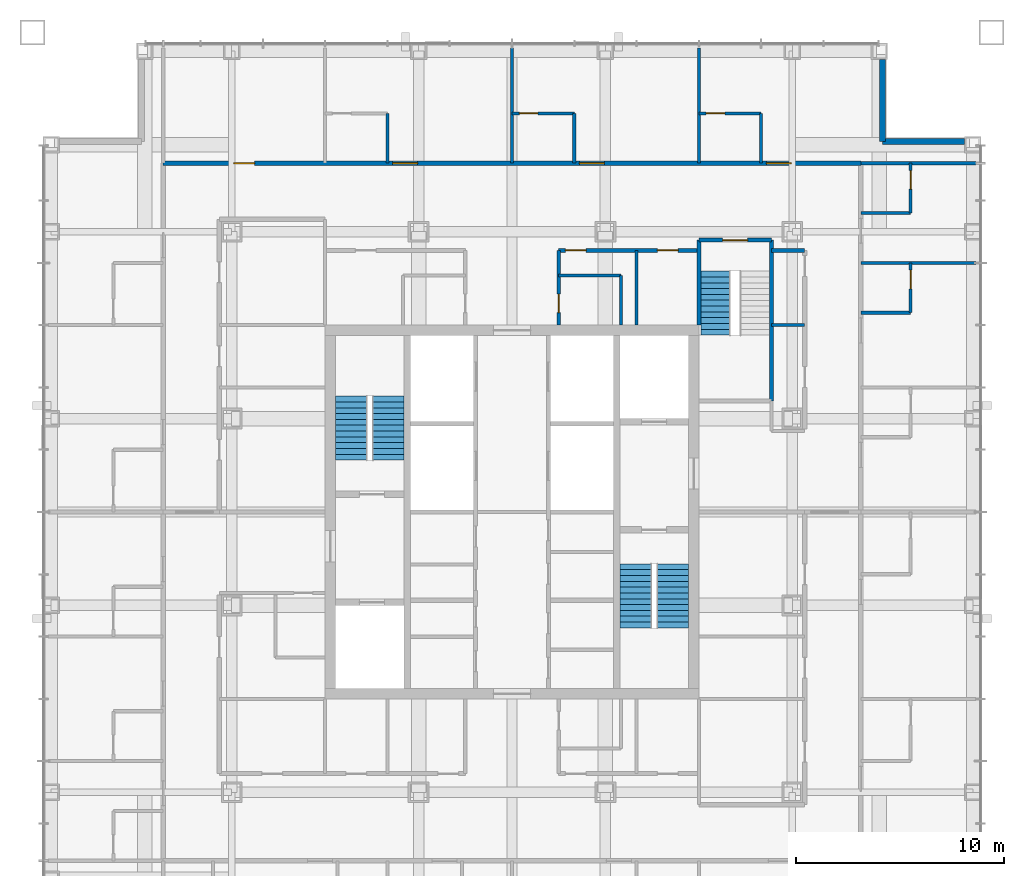
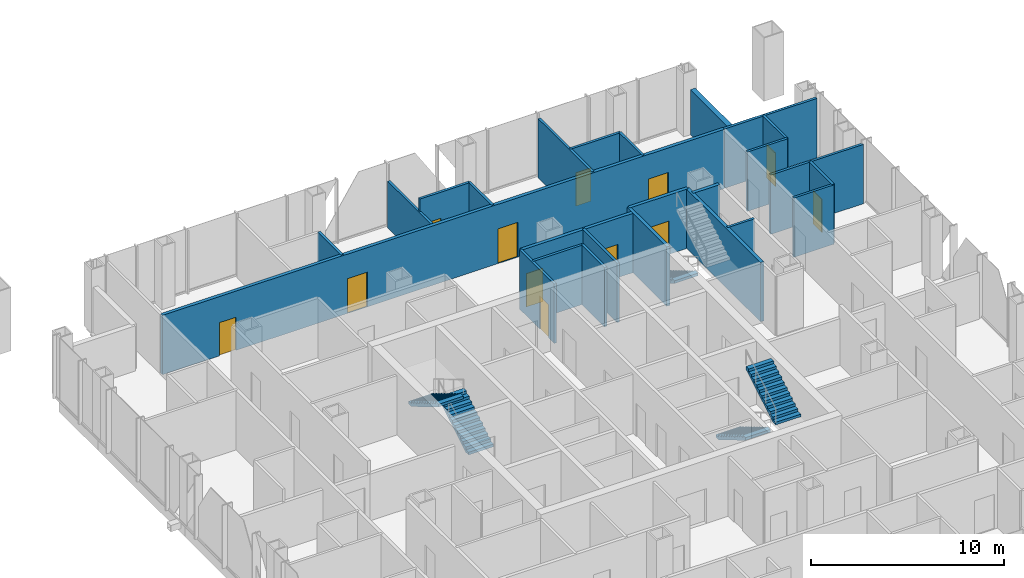
# One storey, part 11 of 17: 26 walls, 12 doors, 5 stair flights, 12 openings, 3 elements without a shape of their own.
"""IFC4 building model written with IfcOpenShell, lengths in metres."""

from ifc_helpers import new_model, si_unit, direction, frame, frame_2d, origin, place, context, subcontext, project, spatial, polyline, rectangle, outline, extrude, material, layer, layer_set, type_object, element, fill, aggregate, save


model = new_model("IFC4")

# Units and contexts
model_context = context("Model", 3, precision=1e-05, world=origin(), true_north=direction((0.0, 1.0)))
body_context = subcontext(model_context, "Body", "Model", "MODEL_VIEW")
ifc_project = project(units=[si_unit("LENGTHUNIT", "METRE"), si_unit("AREAUNIT", "SQUARE_METRE"), si_unit("VOLUMEUNIT", "CUBIC_METRE"), si_unit("PLANEANGLEUNIT", "RADIAN"), si_unit("MASSUNIT", "GRAM", prefix="KILO")], contexts=[model_context])

# Site, building, storey
site_placement = place(None, origin())
site = spatial("IfcSite", under=ifc_project, at=site_placement, CompositionType="ELEMENT")
building_placement = place(site_placement, origin())
building = spatial("IfcBuilding", under=site, at=building_placement, Name="Malebo Sky Hospital", CompositionType="ELEMENT")
storey_placement = place(building_placement, frame((0.0, 0.0, 237.0)))
storey = spatial("IfcBuildingStorey", under=building, at=storey_placement, Name="L57", CompositionType="ELEMENT", Elevation=237.0)

# Wall, openings, doors
ifc_material_1 = material(Name="Gypsum board on steel studs", Category="steel")
ifc_layer_1 = layer(ifc_material_1, 0.199951171875)
ifc_layer_set_1 = layer_set([ifc_layer_1], Name="CORRIDOR WALL 200")
wall_type_1 = type_object("IfcWallType", Name="CORRIDOR WALL 200", PredefinedType="PARTITIONING", material=ifc_layer_set_1)
wall_1_placement = place(storey_placement, frame((43.199951171875, 78.800048828125, 0.0), z_axis=(0.0, 0.0, 1.0), x_axis=(1.0, 0.0, 0.0)))
wall_1 = element("IfcWall", 1, at=wall_1_placement, inside=storey, type_object=wall_type_1, Name="Corridor Wall 200 NCO", PredefinedType="PARTITIONING", context=body_context, shape_type="SweptSolid", body=[
    extrude(rectangle(XDim=33.60009765625, YDim=0.199951171875, at=frame_2d((16.800048828125, 0.0))), origin(), (0.0, 0.0, 1.0), 3.75),
])
opening_1_placement = place(wall_1_placement, frame((3.39990234375, 0.0, 0.0)))
opening_1 = element("IfcOpeningElement", 2, at=opening_1_placement, cuts=wall_1, Name="Opening D03", PredefinedType="OPENING", context=body_context, shape_type="SweptSolid", body=[
    extrude(rectangle(XDim=1.0, YDim=2.10009765625, at=frame_2d((0.5, 1.050048828125))), frame((0.0, 0.10986328125, 0.0), z_axis=(0.0, -1.0, 0.0), x_axis=(1.0, 0.0, 0.0)), (0.0, 0.0, 1.0), 0.219970703125),
])
opening_2_placement = place(wall_1_placement, frame((11.050048828125, 0.0, 0.0)))
opening_2 = element("IfcOpeningElement", 3, at=opening_2_placement, cuts=wall_1, Name="Opening D01", PredefinedType="OPENING", context=body_context, shape_type="SweptSolid", body=[
    extrude(rectangle(XDim=1.199951171875, YDim=2.199951171875, at=frame_2d((0.60009765625, 1.10009765625))), frame((0.0, 0.10986328125, 0.0), z_axis=(0.0, -1.0, 0.0), x_axis=(1.0, 0.0, 0.0)), (0.0, 0.0, 1.0), 0.219970703125),
])
opening_3_placement = place(wall_1_placement, frame((20.050048828125, 0.0, 0.0)))
opening_3 = element("IfcOpeningElement", 4, at=opening_3_placement, cuts=wall_1, Name="Opening D01", PredefinedType="OPENING", context=body_context, shape_type="SweptSolid", body=[
    extrude(rectangle(XDim=1.199951171875, YDim=2.199951171875, at=frame_2d((0.60009765625, 1.10009765625))), frame((0.0, 0.10986328125, 0.0), z_axis=(0.0, -1.0, 0.0), x_axis=(1.0, 0.0, 0.0)), (0.0, 0.0, 1.0), 0.219970703125),
])
opening_4_placement = place(wall_1_placement, frame((29.050048828125, 0.0, 0.0)))
opening_4 = element("IfcOpeningElement", 5, at=opening_4_placement, cuts=wall_1, Name="Opening D01", PredefinedType="OPENING", context=body_context, shape_type="SweptSolid", body=[
    extrude(rectangle(XDim=1.199951171875, YDim=2.199951171875, at=frame_2d((0.60009765625, 1.10009765625))), frame((0.0, 0.10986328125, 0.0), z_axis=(0.0, -1.0, 0.0), x_axis=(1.0, 0.0, 0.0)), (0.0, 0.0, 1.0), 0.219970703125),
])
ifc_material_2 = material(Name="Hardwood-faced door leaf in steel frame", Category="steel")
door_type_1 = type_object("IfcDoorType", Name="BED DOOR 1200", OperationType="SINGLE_SWING_LEFT", PredefinedType="DOOR", material=ifc_material_2)
door_1_placement = place(opening_2_placement, origin())
door_1 = element("IfcDoor", 6, at=door_1_placement, inside=storey, type_object=door_type_1, Name="Two-bed room door", OperationType="SINGLE_SWING_LEFT", OverallHeight=2.199951171875, OverallWidth=1.199951171875, PredefinedType="DOOR", context=body_context, shape_type="SweptSolid", body=[
    extrude(rectangle(XDim=1.199951171875, YDim=2.199951171875, at=frame_2d((0.60009765625, 1.10009765625))), frame((0.0, 0.02490234375, 0.0), z_axis=(0.0, -1.0, 0.0), x_axis=(1.0, 0.0, 0.0)), (0.0, 0.0, 1.0), 0.050048828125),
])
fill(opening_2, door_1)
door_2_placement = place(opening_3_placement, origin())
door_2 = element("IfcDoor", 7, at=door_2_placement, inside=storey, type_object=door_type_1, Name="Two-bed room door", OperationType="SINGLE_SWING_LEFT", OverallHeight=2.199951171875, OverallWidth=1.199951171875, PredefinedType="DOOR", context=body_context, shape_type="SweptSolid", body=[
    extrude(rectangle(XDim=1.199951171875, YDim=2.199951171875, at=frame_2d((0.60009765625, 1.10009765625))), frame((0.0, 0.02490234375, 0.0), z_axis=(0.0, -1.0, 0.0), x_axis=(1.0, 0.0, 0.0)), (0.0, 0.0, 1.0), 0.050048828125),
])
fill(opening_3, door_2)
door_3_placement = place(opening_4_placement, origin())
door_3 = element("IfcDoor", 8, at=door_3_placement, inside=storey, type_object=door_type_1, Name="Two-bed room door", OperationType="SINGLE_SWING_LEFT", OverallHeight=2.199951171875, OverallWidth=1.199951171875, PredefinedType="DOOR", context=body_context, shape_type="SweptSolid", body=[
    extrude(rectangle(XDim=1.199951171875, YDim=2.199951171875, at=frame_2d((0.60009765625, 1.10009765625))), frame((0.0, 0.02490234375, 0.0), z_axis=(0.0, -1.0, 0.0), x_axis=(1.0, 0.0, 0.0)), (0.0, 0.0, 1.0), 0.050048828125),
])
fill(opening_4, door_3)
door_type_2 = type_object("IfcDoorType", Name="ROOM DOOR 1000", OperationType="SINGLE_SWING_LEFT", PredefinedType="DOOR", material=ifc_material_2)
door_4_placement = place(opening_1_placement, origin())
door_4 = element("IfcDoor", 9, at=door_4_placement, inside=storey, type_object=door_type_2, Name="Infant feeding room door", OperationType="SINGLE_SWING_LEFT", OverallHeight=2.10009765625, OverallWidth=1.0, PredefinedType="DOOR", context=body_context, shape_type="SweptSolid", body=[
    extrude(rectangle(XDim=1.0, YDim=2.10009765625, at=frame_2d((0.5, 1.050048828125))), frame((0.0, 0.02490234375, 0.0), z_axis=(0.0, -1.0, 0.0), x_axis=(1.0, 0.0, 0.0)), (0.0, 0.0, 1.0), 0.050048828125),
])
fill(opening_1, door_4)

wall_2_placement = place(storey_placement, frame((62.25, 74.60009765625, 0.0), z_axis=(0.0, 0.0, 1.0), x_axis=(1.0, 0.0, 0.0)))
wall_2 = element("IfcWall", 10, at=wall_2_placement, inside=storey, type_object=wall_type_1, Name="Corridor Wall 200 NCI2", PredefinedType="PARTITIONING", context=body_context, shape_type="SweptSolid", body=[
    extrude(rectangle(XDim=6.75, YDim=0.199951171875, at=frame_2d((3.375, 0.0))), origin(), (0.0, 0.0, 1.0), 3.75),
])
opening_5_placement = place(wall_2_placement, frame((0.324951171875, 0.0, 0.0)))
opening_5 = element("IfcOpeningElement", 11, at=opening_5_placement, cuts=wall_2, Name="Opening D03", PredefinedType="OPENING", context=body_context, shape_type="SweptSolid", body=[
    extrude(rectangle(XDim=1.0, YDim=2.10009765625, at=frame_2d((0.5, 1.050048828125))), frame((0.0, 0.10986328125, 0.0), z_axis=(0.0, -1.0, 0.0), x_axis=(1.0, 0.0, 0.0)), (0.0, 0.0, 1.0), 0.219970703125),
])
opening_6_placement = place(wall_2_placement, frame((4.75, 0.0, 0.0)))
opening_6 = element("IfcOpeningElement", 12, at=opening_6_placement, cuts=wall_2, Name="Opening D03", PredefinedType="OPENING", context=body_context, shape_type="SweptSolid", body=[
    extrude(rectangle(XDim=1.0, YDim=2.10009765625, at=frame_2d((0.5, 1.050048828125))), frame((0.0, 0.10986328125, 0.0), z_axis=(0.0, -1.0, 0.0), x_axis=(1.0, 0.0, 0.0)), (0.0, 0.0, 1.0), 0.219970703125),
])
door_5_placement = place(opening_5_placement, origin())
door_5 = element("IfcDoor", 13, at=door_5_placement, inside=storey, type_object=door_type_2, Name="Medication room door", OperationType="SINGLE_SWING_LEFT", OverallHeight=2.10009765625, OverallWidth=1.0, PredefinedType="DOOR", context=body_context, shape_type="SweptSolid", body=[
    extrude(rectangle(XDim=1.0, YDim=2.10009765625, at=frame_2d((0.5, 1.050048828125))), frame((0.0, 0.02490234375, 0.0), z_axis=(0.0, -1.0, 0.0), x_axis=(1.0, 0.0, 0.0)), (0.0, 0.0, 1.0), 0.050048828125),
])
fill(opening_5, door_5)
door_6_placement = place(opening_6_placement, origin())
door_6 = element("IfcDoor", 14, at=door_6_placement, inside=storey, type_object=door_type_2, Name="Neonatal resuscitation room door", OperationType="SINGLE_SWING_RIGHT", OverallHeight=2.10009765625, OverallWidth=1.0, PredefinedType="DOOR", context=body_context, shape_type="SweptSolid", body=[
    extrude(rectangle(XDim=1.0, YDim=2.10009765625, at=frame_2d((0.5, 1.050048828125))), frame((0.0, 0.02490234375, 0.0), z_axis=(0.0, -1.0, 0.0), x_axis=(1.0, 0.0, 0.0)), (0.0, 0.0, 1.0), 0.050048828125),
])
fill(opening_6, door_6)

# Walls
wall_3_placement = place(storey_placement, frame((72.5, 74.60009765625, 0.0), z_axis=(0.0, 0.0, 1.0), x_axis=(1.0, 0.0, 0.0)))
element("IfcWall", 15, at=wall_3_placement, inside=storey, type_object=wall_type_1, Name="Corridor Wall 200 NCI2/2", PredefinedType="PARTITIONING", context=body_context, shape_type="SweptSolid", body=[
    extrude(rectangle(XDim=1.60009765625, YDim=0.199951171875, at=frame_2d((0.800048828125, 0.0))), origin(), (0.0, 0.0, 1.0), 3.75),
])
ifc_material_3 = material(Name="Anodised aluminium rainscreen on steel framing", Category="steel")
ifc_layer_2 = layer(ifc_material_3, 0.300048828125)
ifc_layer_set_2 = layer_set([ifc_layer_2], Name="NOTCH RAINSCREEN WALL 300")
wall_type_2 = type_object("IfcWallType", Name="NOTCH RAINSCREEN WALL 300", PredefinedType="ELEMENTEDWALL", material=ifc_layer_set_2)
for number, where, z_axis, x_axis, name in (
    (16, (77.85009765625, 83.800048828125, 0.0), (0.0, 0.0, 1.0), (0.0, -1.0, 0.0), "Notch rainscreen wall N1 L57"),
    (17, (77.85009765625, 79.85009765625, 0.0), (0.0, 0.0, 1.0), (1.0, 0.0, 0.0), "Notch rainscreen wall N2 L57"),
):
    element("IfcWall", number, at=place(storey_placement, frame(where, z_axis=z_axis, x_axis=x_axis)), inside=storey, type_object=wall_type_2, Name=name, PredefinedType="ELEMENTEDWALL", context=body_context, shape_type="SweptSolid", body=[
        extrude(rectangle(XDim=3.949951171875, YDim=0.300048828125, at=frame_2d((1.97509765625, 0.0))), origin(), (0.0, 0.0, 1.0), 2.85009765625),
    ])
ifc_layer_3 = layer(ifc_material_1, 0.14990234375)
ifc_layer_set_3 = layer_set([ifc_layer_3], Name="PARTITION 150")
wall_type_3 = type_object("IfcWallType", Name="PARTITION 150", PredefinedType="PARTITIONING", material=ifc_layer_set_3)
wall_4_placement = place(storey_placement, frame((60.0, 78.800048828125, 0.0), z_axis=(0.0, 0.0, 1.0), x_axis=(0.0, 1.0, 0.0)))
element("IfcWall", 18, at=wall_4_placement, inside=storey, type_object=wall_type_3, Name="Partition 150 NP+0.0", PredefinedType="PARTITIONING", context=body_context, shape_type="SweptSolid", body=[
    extrude(rectangle(XDim=5.550048828125, YDim=0.14990234375, at=frame_2d((2.77490234375, 0.0))), origin(), (0.0, 0.0, 1.0), 2.949951171875),
])
wall_5_placement = place(storey_placement, frame((69.0, 78.800048828125, 0.0), z_axis=(0.0, 0.0, 1.0), x_axis=(0.0, 1.0, 0.0)))
element("IfcWall", 19, at=wall_5_placement, inside=storey, type_object=wall_type_3, Name="Partition 150 NP+9.0", PredefinedType="PARTITIONING", context=body_context, shape_type="SweptSolid", body=[
    extrude(rectangle(XDim=5.550048828125, YDim=0.14990234375, at=frame_2d((2.77490234375, 0.0))), origin(), (0.0, 0.0, 1.0), 3.75),
])
wall_6_placement = place(storey_placement, frame((54.0, 78.800048828125, 0.0), z_axis=(0.0, 0.0, 1.0), x_axis=(0.0, 1.0, 0.0)))
element("IfcWall", 20, at=wall_6_placement, inside=storey, type_object=wall_type_3, Name="Partition 150 NE1S", PredefinedType="PARTITIONING", context=body_context, shape_type="SweptSolid", body=[
    extrude(rectangle(XDim=2.39990234375, YDim=0.14990234375, at=frame_2d((1.199951171875, 0.0))), origin(), (0.0, 0.0, 1.0), 3.75),
])

# Wall, opening, door
wall_7_placement = place(storey_placement, frame((60.0, 81.199951171875, 0.0), z_axis=(0.0, 0.0, 1.0), x_axis=(1.0, 0.0, 0.0)))
wall_7 = element("IfcWall", 21, at=wall_7_placement, inside=storey, type_object=wall_type_3, Name="Partition 150 NE2F", PredefinedType="PARTITIONING", context=body_context, shape_type="SweptSolid", body=[
    extrude(rectangle(XDim=3.0, YDim=0.14990234375, at=frame_2d((1.5, 0.0))), origin(), (0.0, 0.0, 1.0), 3.75),
])
opening_7_placement = place(wall_7_placement, frame((0.35009765625, 0.0, 0.0)))
opening_7 = element("IfcOpeningElement", 22, at=opening_7_placement, cuts=wall_7, Name="Opening D02", PredefinedType="OPENING", context=body_context, shape_type="SweptSolid", body=[
    extrude(rectangle(XDim=0.89990234375, YDim=2.10009765625, at=frame_2d((0.449951171875, 1.050048828125))), frame((0.0, 0.0849609375, 0.0), z_axis=(0.0, -1.0, 0.0), x_axis=(1.0, 0.0, 0.0)), (0.0, 0.0, 1.0), 0.169921875),
])
door_type_3 = type_object("IfcDoorType", Name="EN-SUITE DOOR 900", OperationType="SINGLE_SWING_LEFT", PredefinedType="DOOR", material=ifc_material_2)
door_7_placement = place(opening_7_placement, origin())
door_7 = element("IfcDoor", 23, at=door_7_placement, inside=storey, type_object=door_type_3, Name="En-suite door", OperationType="SINGLE_SWING_LEFT", OverallHeight=2.10009765625, OverallWidth=0.89990234375, PredefinedType="DOOR", context=body_context, shape_type="SweptSolid", body=[
    extrude(rectangle(XDim=0.89990234375, YDim=2.10009765625, at=frame_2d((0.449951171875, 1.050048828125))), frame((0.0, 0.02490234375, 0.0), z_axis=(0.0, -1.0, 0.0), x_axis=(1.0, 0.0, 0.0)), (0.0, 0.0, 1.0), 0.050048828125),
])
fill(opening_7, door_7)

# Wall
wall_8_placement = place(storey_placement, frame((63.0, 78.800048828125, 0.0), z_axis=(0.0, 0.0, 1.0), x_axis=(0.0, 1.0, 0.0)))
element("IfcWall", 24, at=wall_8_placement, inside=storey, type_object=wall_type_3, Name="Partition 150 NE2S", PredefinedType="PARTITIONING", context=body_context, shape_type="SweptSolid", body=[
    extrude(rectangle(XDim=2.39990234375, YDim=0.14990234375, at=frame_2d((1.199951171875, 0.0))), origin(), (0.0, 0.0, 1.0), 3.75),
])

# Wall, opening, door
wall_9_placement = place(storey_placement, frame((69.0, 81.199951171875, 0.0), z_axis=(0.0, 0.0, 1.0), x_axis=(1.0, 0.0, 0.0)))
wall_9 = element("IfcWall", 25, at=wall_9_placement, inside=storey, type_object=wall_type_3, Name="Partition 150 NE3F", PredefinedType="PARTITIONING", context=body_context, shape_type="SweptSolid", body=[
    extrude(rectangle(XDim=3.0, YDim=0.14990234375, at=frame_2d((1.5, 0.0))), origin(), (0.0, 0.0, 1.0), 3.75),
])
opening_8_placement = place(wall_9_placement, frame((0.35009765625, 0.0, 0.0)))
opening_8 = element("IfcOpeningElement", 26, at=opening_8_placement, cuts=wall_9, Name="Opening D02", PredefinedType="OPENING", context=body_context, shape_type="SweptSolid", body=[
    extrude(rectangle(XDim=0.89990234375, YDim=2.10009765625, at=frame_2d((0.449951171875, 1.050048828125))), frame((0.0, 0.0849609375, 0.0), z_axis=(0.0, -1.0, 0.0), x_axis=(1.0, 0.0, 0.0)), (0.0, 0.0, 1.0), 0.169921875),
])
door_8_placement = place(opening_8_placement, origin())
door_8 = element("IfcDoor", 27, at=door_8_placement, inside=storey, type_object=door_type_3, Name="En-suite door", OperationType="SINGLE_SWING_LEFT", OverallHeight=2.10009765625, OverallWidth=0.89990234375, PredefinedType="DOOR", context=body_context, shape_type="SweptSolid", body=[
    extrude(rectangle(XDim=0.89990234375, YDim=2.10009765625, at=frame_2d((0.449951171875, 1.050048828125))), frame((0.0, 0.02490234375, 0.0), z_axis=(0.0, -1.0, 0.0), x_axis=(1.0, 0.0, 0.0)), (0.0, 0.0, 1.0), 0.050048828125),
])
fill(opening_8, door_8)

# Wall
wall_10_placement = place(storey_placement, frame((72.0, 78.800048828125, 0.0), z_axis=(0.0, 0.0, 1.0), x_axis=(0.0, 1.0, 0.0)))
element("IfcWall", 28, at=wall_10_placement, inside=storey, type_object=wall_type_3, Name="Partition 150 NE3S", PredefinedType="PARTITIONING", context=body_context, shape_type="SweptSolid", body=[
    extrude(rectangle(XDim=2.39990234375, YDim=0.14990234375, at=frame_2d((1.199951171875, 0.0))), origin(), (0.0, 0.0, 1.0), 3.75),
])

# Wall, opening, door
wall_11_placement = place(storey_placement, frame((62.25, 71.0, 0.0), z_axis=(0.0, 0.0, 1.0), x_axis=(0.0, 1.0, 0.0)))
wall_11 = element("IfcWall", 29, at=wall_11_placement, inside=storey, type_object=wall_type_3, Name="Partition 150 NSPB", PredefinedType="PARTITIONING", context=body_context, shape_type="SweptSolid", body=[
    extrude(rectangle(XDim=3.60009765625, YDim=0.14990234375, at=frame_2d((1.800048828125, 0.0))), origin(), (0.0, 0.0, 1.0), 3.75),
])
opening_9_placement = place(wall_11_placement, frame((0.60009765625, 0.0, 0.0)))
opening_9 = element("IfcOpeningElement", 30, at=opening_9_placement, cuts=wall_11, Name="Opening D04", PredefinedType="OPENING", context=body_context, shape_type="SweptSolid", body=[
    extrude(rectangle(XDim=0.89990234375, YDim=2.10009765625, at=frame_2d((0.449951171875, 1.050048828125))), frame((0.0, 0.0849609375, 0.0), z_axis=(0.0, -1.0, 0.0), x_axis=(1.0, 0.0, 0.0)), (0.0, 0.0, 1.0), 0.169921875),
])
door_type_4 = type_object("IfcDoorType", Name="ROOM DOOR 900", OperationType="SINGLE_SWING_LEFT", PredefinedType="DOOR", material=ifc_material_2)
door_9_placement = place(opening_9_placement, origin())
door_9 = element("IfcDoor", 31, at=door_9_placement, inside=storey, type_object=door_type_4, Name="Accessible WC door", OperationType="SINGLE_SWING_LEFT", OverallHeight=2.10009765625, OverallWidth=0.89990234375, PredefinedType="DOOR", context=body_context, shape_type="SweptSolid", body=[
    extrude(rectangle(XDim=0.89990234375, YDim=2.10009765625, at=frame_2d((0.449951171875, 1.050048828125))), frame((0.0, 0.02490234375, 0.0), z_axis=(0.0, -1.0, 0.0), x_axis=(1.0, 0.0, 0.0)), (0.0, 0.0, 1.0), 0.050048828125),
])
fill(opening_9, door_9)

# Walls
wall_12_placement = place(storey_placement, frame((66.0, 71.0, 0.0), z_axis=(0.0, 0.0, 1.0), x_axis=(0.0, 1.0, 0.0)))
element("IfcWall", 32, at=wall_12_placement, inside=storey, type_object=wall_type_3, Name="Partition 150 NSP+6.0", PredefinedType="PARTITIONING", context=body_context, shape_type="SweptSolid", body=[
    extrude(rectangle(XDim=3.60009765625, YDim=0.14990234375, at=frame_2d((1.800048828125, 0.0))), origin(), (0.0, 0.0, 1.0), 3.75),
])
wall_13_placement = place(storey_placement, frame((62.25, 73.39990234375, 0.0), z_axis=(0.0, 0.0, 1.0), x_axis=(1.0, 0.0, 0.0)))
element("IfcWall", 33, at=wall_13_placement, inside=storey, type_object=wall_type_3, Name="Partition 150 NSX1", PredefinedType="PARTITIONING", context=body_context, shape_type="SweptSolid", body=[
    extrude(rectangle(XDim=3.0, YDim=0.14990234375, at=frame_2d((1.5, 0.0))), origin(), (0.0, 0.0, 1.0), 3.75),
])
wall_14_placement = place(storey_placement, frame((65.25, 71.0, 0.0), z_axis=(0.0, 0.0, 1.0), x_axis=(0.0, 1.0, 0.0)))
element("IfcWall", 34, at=wall_14_placement, inside=storey, type_object=wall_type_3, Name="Partition 150 NSY1", PredefinedType="PARTITIONING", context=body_context, shape_type="SweptSolid", body=[
    extrude(rectangle(XDim=2.39990234375, YDim=0.14990234375, at=frame_2d((1.199951171875, 0.0))), origin(), (0.0, 0.0, 1.0), 3.75),
])
for number, where, z_axis, x_axis, name in (
    (35, (76.800048828125, 74.0, 0.0), (0.0, 0.0, 1.0), (1.0, 0.0, 0.0), "Partition 150 EP-12.0"),
    (36, (76.800048828125, 78.800048828125, 0.0), (0.0, 0.0, 1.0), (1.0, 0.0, 0.0), "Partition 150 EP0"),
):
    element("IfcWall", number, at=place(storey_placement, frame(where, z_axis=z_axis, x_axis=x_axis)), inside=storey, type_object=wall_type_3, Name=name, PredefinedType="PARTITIONING", context=body_context, shape_type="SweptSolid", body=[
        extrude(rectangle(XDim=5.550048828125, YDim=0.14990234375, at=frame_2d((2.77490234375, 0.0))), origin(), (0.0, 0.0, 1.0), 3.75),
    ])

# Wall, opening, door
wall_15_placement = place(storey_placement, frame((79.199951171875, 78.800048828125, 0.0), z_axis=(0.0, 0.0, 1.0), x_axis=(0.0, -1.0, 0.0)))
wall_15 = element("IfcWall", 37, at=wall_15_placement, inside=storey, type_object=wall_type_3, Name="Partition 150 EE0F", PredefinedType="PARTITIONING", context=body_context, shape_type="SweptSolid", body=[
    extrude(rectangle(XDim=2.400146484375, YDim=0.14990234375, at=frame_2d((1.2001953125, 0.0))), origin(), (0.0, 0.0, 1.0), 3.75),
])
opening_10_placement = place(wall_15_placement, frame((0.35009765625, 0.0, 0.0)))
opening_10 = element("IfcOpeningElement", 38, at=opening_10_placement, cuts=wall_15, Name="Opening D02", PredefinedType="OPENING", context=body_context, shape_type="SweptSolid", body=[
    extrude(rectangle(XDim=0.89990234375, YDim=2.10009765625, at=frame_2d((0.449951171875, 1.050048828125))), frame((0.0, 0.0849609375, 0.0), z_axis=(0.0, -1.0, 0.0), x_axis=(1.0, 0.0, 0.0)), (0.0, 0.0, 1.0), 0.169921875),
])
door_10_placement = place(opening_10_placement, origin())
door_10 = element("IfcDoor", 39, at=door_10_placement, inside=storey, type_object=door_type_3, Name="En-suite door", OperationType="SINGLE_SWING_LEFT", OverallHeight=2.10009765625, OverallWidth=0.89990234375, PredefinedType="DOOR", context=body_context, shape_type="SweptSolid", body=[
    extrude(rectangle(XDim=0.89990234375, YDim=2.10009765625, at=frame_2d((0.449951171875, 1.050048828125))), frame((0.0, 0.02490234375, 0.0), z_axis=(0.0, -1.0, 0.0), x_axis=(1.0, 0.0, 0.0)), (0.0, 0.0, 1.0), 0.050048828125),
])
fill(opening_10, door_10)

# Wall
wall_16_placement = place(storey_placement, frame((76.800048828125, 76.39990234375, 0.0), z_axis=(0.0, 0.0, 1.0), x_axis=(1.0, 0.0, 0.0)))
element("IfcWall", 40, at=wall_16_placement, inside=storey, type_object=wall_type_3, Name="Partition 150 EE0S", PredefinedType="PARTITIONING", context=body_context, shape_type="SweptSolid", body=[
    extrude(rectangle(XDim=2.39990234375, YDim=0.14990234375, at=frame_2d((1.199951171875, 0.0))), origin(), (0.0, 0.0, 1.0), 3.75),
])

# Wall, opening, door
wall_17_placement = place(storey_placement, frame((79.199951171875, 74.0, 0.0), z_axis=(0.0, 0.0, 1.0), x_axis=(0.0, -1.0, 0.0)))
wall_17 = element("IfcWall", 41, at=wall_17_placement, inside=storey, type_object=wall_type_3, Name="Partition 150 EE1F", PredefinedType="PARTITIONING", context=body_context, shape_type="SweptSolid", body=[
    extrude(rectangle(XDim=2.39990234375, YDim=0.14990234375, at=frame_2d((1.199951171875, 0.0))), origin(), (0.0, 0.0, 1.0), 3.75),
])
opening_11_placement = place(wall_17_placement, frame((0.35009765625, 0.0, 0.0)))
opening_11 = element("IfcOpeningElement", 42, at=opening_11_placement, cuts=wall_17, Name="Opening D02", PredefinedType="OPENING", context=body_context, shape_type="SweptSolid", body=[
    extrude(rectangle(XDim=0.89990234375, YDim=2.10009765625, at=frame_2d((0.449951171875, 1.050048828125))), frame((0.0, 0.0849609375, 0.0), z_axis=(0.0, -1.0, 0.0), x_axis=(1.0, 0.0, 0.0)), (0.0, 0.0, 1.0), 0.169921875),
])
door_11_placement = place(opening_11_placement, origin())
door_11 = element("IfcDoor", 43, at=door_11_placement, inside=storey, type_object=door_type_3, Name="En-suite door", OperationType="SINGLE_SWING_LEFT", OverallHeight=2.10009765625, OverallWidth=0.89990234375, PredefinedType="DOOR", context=body_context, shape_type="SweptSolid", body=[
    extrude(rectangle(XDim=0.89990234375, YDim=2.10009765625, at=frame_2d((0.449951171875, 1.050048828125))), frame((0.0, 0.02490234375, 0.0), z_axis=(0.0, -1.0, 0.0), x_axis=(1.0, 0.0, 0.0)), (0.0, 0.0, 1.0), 0.050048828125),
])
fill(opening_11, door_11)

# Walls
wall_18_placement = place(storey_placement, frame((76.800048828125, 71.60009765625, 0.0), z_axis=(0.0, 0.0, 1.0), x_axis=(1.0, 0.0, 0.0)))
element("IfcWall", 44, at=wall_18_placement, inside=storey, type_object=wall_type_3, Name="Partition 150 EE1S", PredefinedType="PARTITIONING", context=body_context, shape_type="SweptSolid", body=[
    extrude(rectangle(XDim=2.39990234375, YDim=0.14990234375, at=frame_2d((1.199951171875, 0.0))), origin(), (0.0, 0.0, 1.0), 3.75),
])
wall_19_placement = place(storey_placement, frame((72.5, 71.0, 0.0), z_axis=(0.0, 0.0, 1.0), x_axis=(1.0, 0.0, 0.0)))
element("IfcWall", 45, at=wall_19_placement, inside=storey, type_object=wall_type_3, Name="Partition 150 ESP0", PredefinedType="PARTITIONING", context=body_context, shape_type="SweptSolid", body=[
    extrude(rectangle(XDim=1.60009765625, YDim=0.14990234375, at=frame_2d((0.800048828125, 0.0))), origin(), (0.0, 0.0, 1.0), 3.75),
])
ifc_material_4 = material(Name="Concrete C40/50", Category="concrete")
ifc_layer_4 = layer(ifc_material_4, 0.199951171875)
ifc_layer_set_4 = layer_set([ifc_layer_4], Name="STAIR ENCLOSURE WALL 200")
wall_type_4 = type_object("IfcWallType", Name="STAIR ENCLOSURE WALL 200", PredefinedType="SOLIDWALL", material=ifc_layer_set_4)
wall_20_placement = place(storey_placement, frame((69.0, 71.0, 0.0), z_axis=(0.0, 0.0, 1.0), x_axis=(0.0, 1.0, 0.0)))
element("IfcWall", 46, at=wall_20_placement, inside=storey, type_object=wall_type_4, Name="Stair Enclosure Wall 200 ST3W", PredefinedType="SOLIDWALL", context=body_context, shape_type="SweptSolid", body=[
    extrude(rectangle(XDim=4.10009765625, YDim=0.199951171875, at=frame_2d((2.050048828125, 0.0))), origin(), (0.0, 0.0, 1.0), 3.75),
])
wall_21_placement = place(storey_placement, frame((72.5, 67.35009765625, 0.0), z_axis=(0.0, 0.0, 1.0), x_axis=(0.0, 1.0, 0.0)))
element("IfcWall", 47, at=wall_21_placement, inside=storey, type_object=wall_type_4, Name="Stair Enclosure Wall 200 ST3E", PredefinedType="SOLIDWALL", context=body_context, shape_type="SweptSolid", body=[
    extrude(rectangle(XDim=7.75, YDim=0.199951171875, at=frame_2d((3.875, 0.0))), origin(), (0.0, 0.0, 1.0), 3.75),
])

# Wall, opening, door
wall_22_placement = place(storey_placement, frame((69.0, 75.10009765625, 0.0), z_axis=(0.0, 0.0, 1.0), x_axis=(1.0, 0.0, 0.0)))
wall_22 = element("IfcWall", 48, at=wall_22_placement, inside=storey, type_object=wall_type_4, Name="Stair Enclosure Wall 200 ST3N", PredefinedType="SOLIDWALL", context=body_context, shape_type="SweptSolid", body=[
    extrude(rectangle(XDim=3.5, YDim=0.199951171875, at=frame_2d((1.75, 0.0))), origin(), (0.0, 0.0, 1.0), 3.75),
])
opening_12_placement = place(wall_22_placement, frame((1.14990234375, 0.0, 0.0)))
opening_12 = element("IfcOpeningElement", 49, at=opening_12_placement, cuts=wall_22, Name="Opening D08", PredefinedType="OPENING", context=body_context, shape_type="SweptSolid", body=[
    extrude(rectangle(XDim=1.199951171875, YDim=2.10009765625, at=frame_2d((0.60009765625, 1.050048828125))), frame((0.0, 0.10986328125, 0.0), z_axis=(0.0, -1.0, 0.0), x_axis=(1.0, 0.0, 0.0)), (0.0, 0.0, 1.0), 0.219970703125),
])
door_type_5 = type_object("IfcDoorType", Name="STAIR DOOR 1200", OperationType="SINGLE_SWING_LEFT", PredefinedType="DOOR", material=ifc_material_2)
door_12_placement = place(opening_12_placement, origin())
door_12 = element("IfcDoor", 50, at=door_12_placement, inside=storey, type_object=door_type_5, Name="Stair S3 door", OperationType="SINGLE_SWING_LEFT", OverallHeight=2.10009765625, OverallWidth=1.199951171875, PredefinedType="DOOR", context=body_context, shape_type="SweptSolid", body=[
    extrude(rectangle(XDim=1.199951171875, YDim=2.10009765625, at=frame_2d((0.60009765625, 1.050048828125))), frame((0.0, 0.02490234375, 0.0), z_axis=(0.0, -1.0, 0.0), x_axis=(1.0, 0.0, 0.0)), (0.0, 0.0, 1.0), 0.050048828125),
])
fill(opening_12, door_12)

# Stair, stair flight
stair_type_1 = type_object("IfcStairType", Name="HALF-TURN STAIR 1400 R167", PredefinedType="HALF_TURN_STAIR", material=ifc_material_4)
stair_1_placement = place(storey_placement, origin())
stair_1 = element("IfcStair", 51, at=stair_1_placement, inside=storey, type_object=stair_type_1, Name="Stair S3 L57 type ST1B", PredefinedType="HALF_TURN_STAIR")
stair_flight_type_1 = type_object("IfcStairFlightType", Name="STAIR FLIGHT 1400 R167", PredefinedType="STRAIGHT", material=ifc_material_4)
stair_flight_1_placement = place(storey_placement, frame((69.800048828125, 73.60009765625, 0.0), z_axis=(0.0, 0.0, 1.0), x_axis=(0.0, -1.0, 0.0)))
stair_flight_1 = element("IfcStairFlight", 52, at=stair_flight_1_placement, type_object=stair_flight_type_1, Name="S3 flight 1 type SF1B", NumberOfRisers=12, NumberOfTreads=11, PredefinedType="STRAIGHT", RiserHeight=0.166666667, TreadLength=0.28, context=body_context, shape_type="SweptSolid", body=[
    extrude(outline(polyline([(0.0, 0.0), (0.0, 0.166748046875), (0.280029296875, 0.166748046875), (0.280029296875, 0.333251953125), (0.56005859375, 0.333251953125), (0.56005859375, 0.5), (0.840087890625, 0.5), (0.840087890625, 0.666748046875), (1.1201171875, 0.666748046875), (1.1201171875, 0.833251953125), (1.39990234375, 0.833251953125), (1.39990234375, 1.0), (1.679931640625, 1.0), (1.679931640625, 1.166748046875), (1.9599609375, 1.166748046875), (1.9599609375, 1.333251953125), (2.239990234375, 1.333251953125), (2.239990234375, 1.5), (2.52001953125, 1.5), (2.52001953125, 1.666748046875), (2.800048828125, 1.666748046875), (2.800048828125, 1.833251953125), (3.080078125, 1.833251953125), (3.080078125, 2.0), (3.080078125, 1.658935546875), (0.29296875, 0.0), (0.0, 0.0)])), frame((0.0, 0.699951171875, 0.0), z_axis=(0.0, -1.0, 0.0), x_axis=(1.0, 0.0, 0.0)), (0.0, 0.0, 1.0), 1.39990234375),
])
aggregate(stair_1, [stair_flight_1])

# Stair, stair flights
stair_type_2 = type_object("IfcStairType", Name="HALF-TURN STAIR 1500 R167", PredefinedType="HALF_TURN_STAIR", material=ifc_material_4)
stair_2_placement = place(storey_placement, origin())
stair_2 = element("IfcStair", 53, at=stair_2_placement, inside=storey, type_object=stair_type_2, Name="Stair S1 L57 type ST1", PredefinedType="HALF_TURN_STAIR")
stair_flight_type_2 = type_object("IfcStairFlightType", Name="STAIR FLIGHT 1500 R167", PredefinedType="STRAIGHT", material=ifc_material_4)
stair_flight_2_placement = place(storey_placement, frame((54.050048828125, 64.5, 0.0), z_axis=(0.0, 0.0, 1.0), x_axis=(0.0, 1.0, 0.0)))
stair_flight_2 = element("IfcStairFlight", 54, at=stair_flight_2_placement, type_object=stair_flight_type_2, Name="S1 flight 1 type SF1", NumberOfRisers=12, NumberOfTreads=11, PredefinedType="STRAIGHT", RiserHeight=0.166666667, TreadLength=0.28, context=body_context, shape_type="SweptSolid", body=[
    extrude(outline(polyline([(0.0, 0.0), (0.0, 0.166748046875), (0.280029296875, 0.166748046875), (0.280029296875, 0.333251953125), (0.56005859375, 0.333251953125), (0.56005859375, 0.5), (0.840087890625, 0.5), (0.840087890625, 0.666748046875), (1.1201171875, 0.666748046875), (1.1201171875, 0.833251953125), (1.39990234375, 0.833251953125), (1.39990234375, 1.0), (1.679931640625, 1.0), (1.679931640625, 1.166748046875), (1.9599609375, 1.166748046875), (1.9599609375, 1.333251953125), (2.239990234375, 1.333251953125), (2.239990234375, 1.5), (2.52001953125, 1.5), (2.52001953125, 1.666748046875), (2.800048828125, 1.666748046875), (2.800048828125, 1.833251953125), (3.080078125, 1.833251953125), (3.080078125, 2.0), (3.080078125, 1.658935546875), (0.29296875, 0.0), (0.0, 0.0)])), frame((0.0, 0.75, 0.0), z_axis=(0.0, -1.0, 0.0), x_axis=(1.0, 0.0, 0.0)), (0.0, 0.0, 1.0), 1.5),
])
stair_flight_3_placement = place(storey_placement, frame((52.25, 67.580078125, 2.0), z_axis=(0.0, 0.0, 1.0), x_axis=(0.0, -1.0, 0.0)))
stair_flight_3 = element("IfcStairFlight", 55, at=stair_flight_3_placement, type_object=stair_flight_type_2, Name="S1 flight 2 type SF1", NumberOfRisers=12, NumberOfTreads=11, PredefinedType="STRAIGHT", RiserHeight=0.166666667, TreadLength=0.28, context=body_context, shape_type="SweptSolid", body=[
    extrude(outline(polyline([(0.0, 0.0), (0.0, 0.166748046875), (0.280029296875, 0.166748046875), (0.280029296875, 0.333251953125), (0.56005859375, 0.333251953125), (0.56005859375, 0.5), (0.840087890625, 0.5), (0.840087890625, 0.666748046875), (1.1201171875, 0.666748046875), (1.1201171875, 0.833251953125), (1.39990234375, 0.833251953125), (1.39990234375, 1.0), (1.679931640625, 1.0), (1.679931640625, 1.166748046875), (1.9599609375, 1.166748046875), (1.9599609375, 1.333251953125), (2.239990234375, 1.333251953125), (2.239990234375, 1.5), (2.52001953125, 1.5), (2.52001953125, 1.666748046875), (2.800048828125, 1.666748046875), (2.800048828125, 1.833251953125), (3.080078125, 1.833251953125), (3.080078125, 2.0), (3.080078125, 1.658935546875), (0.29296875, 0.0), (0.0, 0.0)])), frame((0.0, 0.75, 0.0), z_axis=(0.0, -1.0, 0.0), x_axis=(1.0, 0.0, 0.0)), (0.0, 0.0, 1.0), 1.5),
])
aggregate(stair_2, [stair_flight_2, stair_flight_3])

stair_3_placement = place(storey_placement, origin())
stair_3 = element("IfcStair", 56, at=stair_3_placement, inside=storey, type_object=stair_type_2, Name="Stair S2 L57 type ST1", PredefinedType="HALF_TURN_STAIR")
stair_flight_4_placement = place(storey_placement, frame((65.949951171875, 59.5, 0.0), z_axis=(0.0, 0.0, 1.0), x_axis=(0.0, -1.0, 0.0)))
stair_flight_4 = element("IfcStairFlight", 57, at=stair_flight_4_placement, type_object=stair_flight_type_2, Name="S2 flight 1 type SF1", NumberOfRisers=12, NumberOfTreads=11, PredefinedType="STRAIGHT", RiserHeight=0.166666667, TreadLength=0.28, context=body_context, shape_type="SweptSolid", body=[
    extrude(outline(polyline([(0.0, 0.0), (0.0, 0.166748046875), (0.280029296875, 0.166748046875), (0.280029296875, 0.333251953125), (0.56005859375, 0.333251953125), (0.56005859375, 0.5), (0.840087890625, 0.5), (0.840087890625, 0.666748046875), (1.1201171875, 0.666748046875), (1.1201171875, 0.833251953125), (1.39990234375, 0.833251953125), (1.39990234375, 1.0), (1.679931640625, 1.0), (1.679931640625, 1.166748046875), (1.9599609375, 1.166748046875), (1.9599609375, 1.333251953125), (2.239990234375, 1.333251953125), (2.239990234375, 1.5), (2.52001953125, 1.5), (2.52001953125, 1.666748046875), (2.800048828125, 1.666748046875), (2.800048828125, 1.833251953125), (3.080078125, 1.833251953125), (3.080078125, 2.0), (3.080078125, 1.658935546875), (0.29296875, 0.0), (0.0, 0.0)])), frame((0.0, 0.75, 0.0), z_axis=(0.0, -1.0, 0.0), x_axis=(1.0, 0.0, 0.0)), (0.0, 0.0, 1.0), 1.5),
])
stair_flight_5_placement = place(storey_placement, frame((67.75, 56.419921875, 2.0), z_axis=(0.0, 0.0, 1.0), x_axis=(0.0, 1.0, 0.0)))
stair_flight_5 = element("IfcStairFlight", 58, at=stair_flight_5_placement, type_object=stair_flight_type_2, Name="S2 flight 2 type SF1", NumberOfRisers=12, NumberOfTreads=11, PredefinedType="STRAIGHT", RiserHeight=0.166666667, TreadLength=0.28, context=body_context, shape_type="SweptSolid", body=[
    extrude(outline(polyline([(0.0, 0.0), (0.0, 0.166748046875), (0.280029296875, 0.166748046875), (0.280029296875, 0.333251953125), (0.56005859375, 0.333251953125), (0.56005859375, 0.5), (0.840087890625, 0.5), (0.840087890625, 0.666748046875), (1.1201171875, 0.666748046875), (1.1201171875, 0.833251953125), (1.39990234375, 0.833251953125), (1.39990234375, 1.0), (1.679931640625, 1.0), (1.679931640625, 1.166748046875), (1.9599609375, 1.166748046875), (1.9599609375, 1.333251953125), (2.239990234375, 1.333251953125), (2.239990234375, 1.5), (2.52001953125, 1.5), (2.52001953125, 1.666748046875), (2.800048828125, 1.666748046875), (2.800048828125, 1.833251953125), (3.080078125, 1.833251953125), (3.080078125, 2.0), (3.080078125, 1.658935546875), (0.29296875, 0.0), (0.0, 0.0)])), frame((0.0, 0.75, 0.0), z_axis=(0.0, -1.0, 0.0), x_axis=(1.0, 0.0, 0.0)), (0.0, 0.0, 1.0), 1.5),
])
aggregate(stair_3, [stair_flight_4, stair_flight_5])

save(model, "model.ifc")
